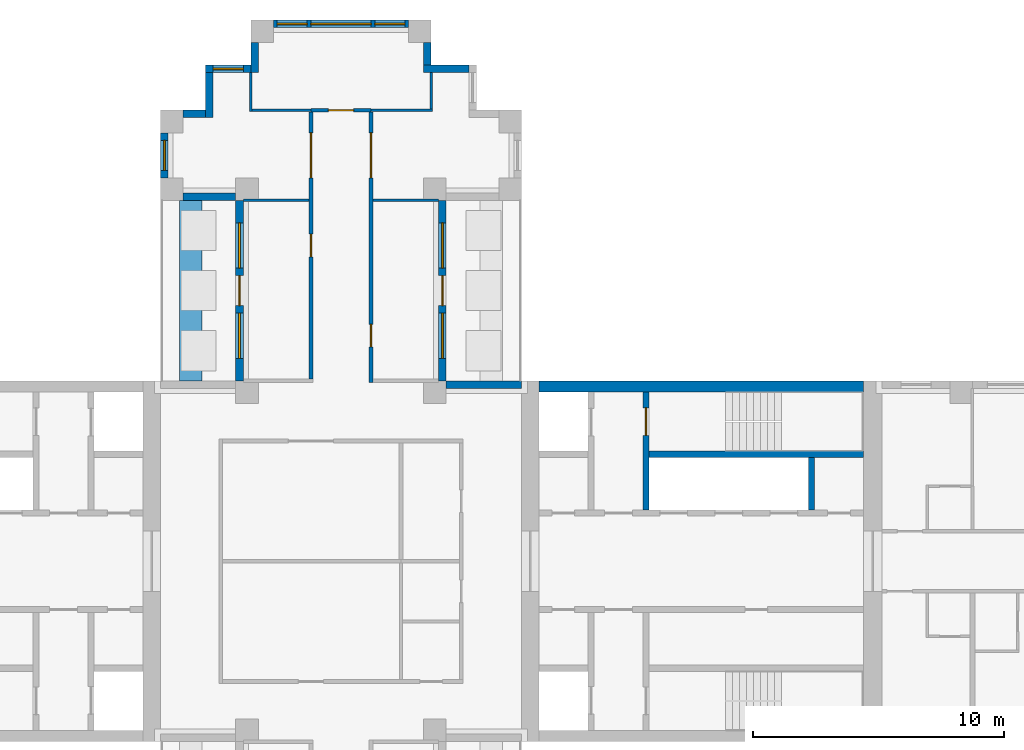
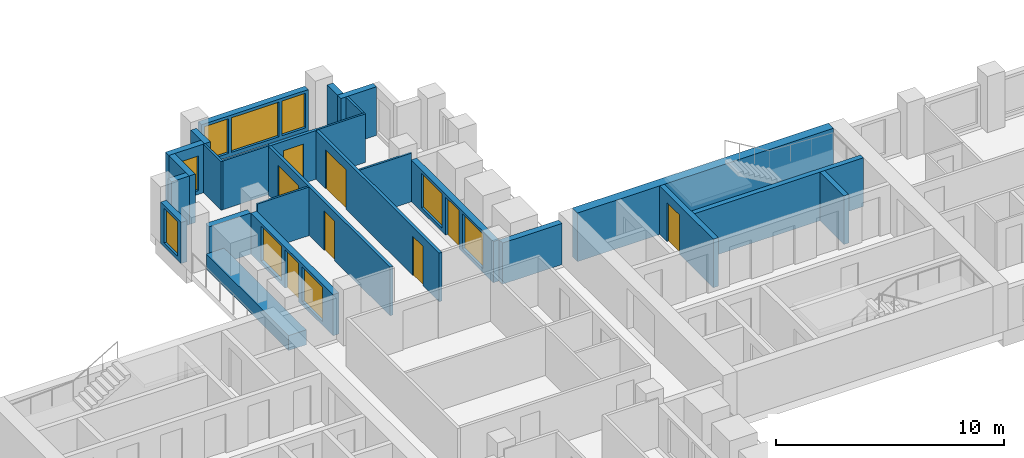
# One storey, part 7 of 12: 26 walls, 9 windows, 8 doors, 17 openings.
"""IFC4 building model written with IfcOpenShell, lengths in metres."""

from ifc_helpers import new_model, si_unit, direction, frame, frame_2d, origin, place, context, subcontext, project, spatial, rectangle, extrude, material, layer, layer_set, type_object, element, fill, save


model = new_model("IFC4")

# Units and contexts
model_context = context("Model", 3, precision=1e-05, world=origin(), true_north=direction((0.0, 1.0)))
body_context = subcontext(model_context, "Body", "Model", "MODEL_VIEW")
ifc_project = project(units=[si_unit("LENGTHUNIT", "METRE"), si_unit("AREAUNIT", "SQUARE_METRE"), si_unit("VOLUMEUNIT", "CUBIC_METRE"), si_unit("PLANEANGLEUNIT", "RADIAN"), si_unit("MASSUNIT", "GRAM", prefix="KILO")], contexts=[model_context])

# Site, building, storey
site_placement = place(None, origin())
site = spatial("IfcSite", under=ifc_project, at=site_placement, CompositionType="ELEMENT")
building_placement = place(site_placement, origin())
building = spatial("IfcBuilding", under=site, at=building_placement, Name="Fustian Cross Tower", CompositionType="ELEMENT")
storey_placement = place(building_placement, frame((0.0, 0.0, 135.300048828125)))
storey = spatial("IfcBuildingStorey", under=building, at=storey_placement, Name="L42", CompositionType="ELEMENT", Elevation=135.300048828125)

# Wall, openings, doors
ifc_material_1 = material(Name="Plasterboard on steel stud", Category="steel")
ifc_layer_1 = layer(ifc_material_1, 0.14990234375)
ifc_layer_set_1 = layer_set([ifc_layer_1], Name="Plasterboard on steel stud")
wall_type_1 = type_object("IfcWallType", Name="COMPARTMENT WALL 150 EI 60", PredefinedType="PARTITIONING", material=ifc_layer_set_1)
wall_1_placement = place(storey_placement, frame((-1.199951171875, 7.27490234375, 0.0), z_axis=(0.0, 0.0, 1.0), x_axis=(0.0, 1.0, 0.0)))
wall_1 = element("IfcWall", 1, at=wall_1_placement, inside=storey, type_object=wall_type_1, Name="Partition 31", PredefinedType="PARTITIONING", context=body_context, shape_type="SweptSolid", body=[
    extrude(rectangle(XDim=10.650146484375, YDim=0.14990234375, at=frame_2d((5.3251953125, 0.0))), origin(), (0.0, 0.0, 1.0), 2.599853515625),
])
opening_1_placement = place(wall_1_placement, frame((4.875, 0.0, 0.0)))
opening_1 = element("IfcOpeningElement", 2, at=opening_1_placement, cuts=wall_1, Name="Opening D19016", PredefinedType="OPENING", context=body_context, shape_type="SweptSolid", body=[
    extrude(rectangle(XDim=0.89990234375, YDim=2.10009765625, at=frame_2d((0.449951171875, 1.050048828125))), frame((0.0, 0.0849609375, 0.0), z_axis=(0.0, -1.0, 0.0), x_axis=(1.0, 0.0, 0.0)), (0.0, 0.0, 1.0), 0.169921875),
])
opening_2_placement = place(wall_1_placement, frame((8.02490234375, 0.0, 0.0)))
opening_2 = element("IfcOpeningElement", 3, at=opening_2_placement, cuts=wall_1, Name="Opening D19017", PredefinedType="OPENING", context=body_context, shape_type="SweptSolid", body=[
    extrude(rectangle(XDim=1.800048828125, YDim=2.10009765625, at=frame_2d((0.89990234375, 1.050048828125))), frame((0.0, 0.0849609375, 0.0), z_axis=(0.0, -1.0, 0.0), x_axis=(1.0, 0.0, 0.0)), (0.0, 0.0, 1.0), 0.169921875),
])
ifc_material_2 = material(Name="Timber fire door set", Category="wood")
door_type_1 = type_object("IfcDoorType", Name="FIRE DOUBLE DOOR 1800 FD30S", OperationType="DOUBLE_DOOR_DOUBLE_SWING", PredefinedType="DOOR", material=ifc_material_2)
door_1_placement = place(opening_2_placement, frame((1.800048828125, 0.0, 0.0), z_axis=(0.0, 0.0, 1.0), x_axis=(-1.0, 0.0, 0.0)))
door_1 = element("IfcDoor", 4, at=door_1_placement, inside=storey, type_object=door_type_1, Name="Door D19017", OperationType="DOUBLE_DOOR_DOUBLE_SWING", OverallHeight=2.10009765625, OverallWidth=1.800048828125, PredefinedType="DOOR", context=body_context, shape_type="SweptSolid", body=[
    extrude(rectangle(XDim=1.800048828125, YDim=2.10009765625, at=frame_2d((0.89990234375, 1.050048828125))), frame((0.0, 0.02490234375, 0.0), z_axis=(0.0, -1.0, 0.0), x_axis=(1.0, 0.0, 0.0)), (0.0, 0.0, 1.0), 0.050048828125),
])
fill(opening_2, door_1)
ifc_material_3 = material(Name="Timber fire door set", Category="wood")
door_type_2 = type_object("IfcDoorType", Name="FIRE SWING DOOR 900 FD30S", OperationType="SINGLE_SWING_LEFT", PredefinedType="DOOR", material=ifc_material_3)
door_2_placement = place(opening_1_placement, origin())
door_2 = element("IfcDoor", 5, at=door_2_placement, inside=storey, type_object=door_type_2, Name="Door D19016", OperationType="SINGLE_SWING_RIGHT", OverallHeight=2.10009765625, OverallWidth=0.89990234375, PredefinedType="DOOR", context=body_context, shape_type="SweptSolid", body=[
    extrude(rectangle(XDim=0.89990234375, YDim=2.10009765625, at=frame_2d((0.449951171875, 1.050048828125))), frame((0.0, 0.02490234375, 0.0), z_axis=(0.0, -1.0, 0.0), x_axis=(1.0, 0.0, 0.0)), (0.0, 0.0, 1.0), 0.050048828125),
])
fill(opening_1, door_2)

# Wall, opening, door
wall_2_placement = place(storey_placement, frame((-1.199951171875, 18.0, 0.0), z_axis=(0.0, 0.0, 1.0), x_axis=(1.0, 0.0, 0.0)))
wall_2 = element("IfcWall", 6, at=wall_2_placement, inside=storey, type_object=wall_type_1, Name="Partition 32", PredefinedType="PARTITIONING", context=body_context, shape_type="SweptSolid", body=[
    extrude(rectangle(XDim=2.39990234375, YDim=0.14990234375, at=frame_2d((1.199951171875, 0.0))), origin(), (0.0, 0.0, 1.0), 2.599853515625),
])
opening_3_placement = place(wall_2_placement, frame((0.699951171875, 0.0, 0.0)))
opening_3 = element("IfcOpeningElement", 7, at=opening_3_placement, cuts=wall_2, Name="Opening D19015", PredefinedType="OPENING", context=body_context, shape_type="SweptSolid", body=[
    extrude(rectangle(XDim=1.0, YDim=2.10009765625, at=frame_2d((0.5, 1.050048828125))), frame((0.0, 0.0849609375, 0.0), z_axis=(0.0, -1.0, 0.0), x_axis=(1.0, 0.0, 0.0)), (0.0, 0.0, 1.0), 0.169921875),
])
ifc_material_4 = material(Name="Timber fire door set", Category="wood")
door_type_3 = type_object("IfcDoorType", Name="FIRE SWING DOOR 1000 FD30S", OperationType="SINGLE_SWING_LEFT", PredefinedType="DOOR", material=ifc_material_4)
door_3_placement = place(opening_3_placement, origin())
door_3 = element("IfcDoor", 8, at=door_3_placement, inside=storey, type_object=door_type_3, Name="Door D19015", OperationType="SINGLE_SWING_LEFT", OverallHeight=2.10009765625, OverallWidth=1.0, PredefinedType="DOOR", context=body_context, shape_type="SweptSolid", body=[
    extrude(rectangle(XDim=1.0, YDim=2.10009765625, at=frame_2d((0.5, 1.050048828125))), frame((0.0, 0.02490234375, 0.0), z_axis=(0.0, -1.0, 0.0), x_axis=(1.0, 0.0, 0.0)), (0.0, 0.0, 1.0), 0.050048828125),
])
fill(opening_3, door_3)

# Wall, openings, doors
wall_3_placement = place(storey_placement, frame((1.199951171875, 7.125, 0.0), z_axis=(0.0, 0.0, 1.0), x_axis=(0.0, 1.0, 0.0)))
wall_3 = element("IfcWall", 9, at=wall_3_placement, inside=storey, type_object=wall_type_1, Name="Partition 38", PredefinedType="PARTITIONING", context=body_context, shape_type="SweptSolid", body=[
    extrude(rectangle(XDim=10.800048828125, YDim=0.14990234375, at=frame_2d((5.39990234375, 0.0))), origin(), (0.0, 0.0, 1.0), 2.599853515625),
])
opening_4_placement = place(wall_3_placement, frame((1.425048828125, 0.0, 0.0)))
opening_4 = element("IfcOpeningElement", 10, at=opening_4_placement, cuts=wall_3, Name="Opening D19018", PredefinedType="OPENING", context=body_context, shape_type="SweptSolid", body=[
    extrude(rectangle(XDim=0.89990234375, YDim=2.10009765625, at=frame_2d((0.449951171875, 1.050048828125))), frame((0.0, 0.0849609375, 0.0), z_axis=(0.0, -1.0, 0.0), x_axis=(1.0, 0.0, 0.0)), (0.0, 0.0, 1.0), 0.169921875),
])
opening_5_placement = place(wall_3_placement, frame((8.175048828125, 0.0, 0.0)))
opening_5 = element("IfcOpeningElement", 11, at=opening_5_placement, cuts=wall_3, Name="Opening D19019", PredefinedType="OPENING", context=body_context, shape_type="SweptSolid", body=[
    extrude(rectangle(XDim=1.800048828125, YDim=2.10009765625, at=frame_2d((0.89990234375, 1.050048828125))), frame((0.0, 0.0849609375, 0.0), z_axis=(0.0, -1.0, 0.0), x_axis=(1.0, 0.0, 0.0)), (0.0, 0.0, 1.0), 0.169921875),
])
door_4_placement = place(opening_5_placement, origin())
door_4 = element("IfcDoor", 12, at=door_4_placement, inside=storey, type_object=door_type_1, Name="Door D19019", OperationType="DOUBLE_DOOR_DOUBLE_SWING", OverallHeight=2.10009765625, OverallWidth=1.800048828125, PredefinedType="DOOR", context=body_context, shape_type="SweptSolid", body=[
    extrude(rectangle(XDim=1.800048828125, YDim=2.10009765625, at=frame_2d((0.89990234375, 1.050048828125))), frame((0.0, 0.02490234375, 0.0), z_axis=(0.0, -1.0, 0.0), x_axis=(1.0, 0.0, 0.0)), (0.0, 0.0, 1.0), 0.050048828125),
])
fill(opening_5, door_4)
door_5_placement = place(opening_4_placement, frame((0.89990234375, 0.0, 0.0), z_axis=(0.0, 0.0, 1.0), x_axis=(-1.0, 0.0, 0.0)))
door_5 = element("IfcDoor", 13, at=door_5_placement, inside=storey, type_object=door_type_2, Name="Door D19018", OperationType="SINGLE_SWING_RIGHT", OverallHeight=2.10009765625, OverallWidth=0.89990234375, PredefinedType="DOOR", context=body_context, shape_type="SweptSolid", body=[
    extrude(rectangle(XDim=0.89990234375, YDim=2.10009765625, at=frame_2d((0.449951171875, 1.050048828125))), frame((0.0, 0.02490234375, 0.0), z_axis=(0.0, -1.0, 0.0), x_axis=(1.0, 0.0, 0.0)), (0.0, 0.0, 1.0), 0.050048828125),
])
fill(opening_4, door_5)

# Walls
ifc_material_5 = material(Name="Concrete C60/75", Category="concrete")
ifc_layer_2 = layer(ifc_material_5, 0.449951171875)
ifc_layer_set_2 = layer_set([ifc_layer_2], Name="Concrete C60/75")
wall_type_2 = type_object("IfcWallType", Name="CORE FACADE WALL 450 C60/75", PredefinedType="SHEAR", material=ifc_layer_set_2)
wall_4_placement = place(storey_placement, frame((7.89990234375, 6.97509765625, 0.0), z_axis=(0.0, 0.0, 1.0), x_axis=(1.0, 0.0, 0.0)))
element("IfcWall", 14, at=wall_4_placement, inside=storey, type_object=wall_type_2, Name="Core facade wall", PredefinedType="SHEAR", context=body_context, shape_type="SweptSolid", body=[
    extrude(rectangle(XDim=12.9501953125, YDim=0.449951171875, at=frame_2d((6.47509765625, 0.0))), origin(), (0.0, 0.0, 1.0), 2.599853515625),
])
ifc_material_6 = material(Name="Concrete C50/60", Category="concrete")
ifc_layer_3 = layer(ifc_material_6, 0.25)
ifc_layer_set_3 = layer_set([ifc_layer_3], Name="Concrete C50/60")
wall_type_3 = type_object("IfcWallType", Name="CORE SHAFT WALL 250 C50/60", PredefinedType="SHEAR", material=ifc_layer_set_3)
wall_5_placement = place(storey_placement, frame((12.300048828125, 4.27490234375, 0.0), z_axis=(0.0, 0.0, 1.0), x_axis=(1.0, 0.0, 0.0)))
element("IfcWall", 15, at=wall_5_placement, inside=storey, type_object=wall_type_3, Name="Core shaft wall", PredefinedType="SHEAR", context=body_context, shape_type="SweptSolid", body=[
    extrude(rectangle(XDim=8.550048828125, YDim=0.25, at=frame_2d((4.27490234375, 0.0))), origin(), (0.0, 0.0, 1.0), 2.599853515625),
])

# Wall, opening, door
wall_6_placement = place(storey_placement, frame((12.175048828125, 2.050048828125, 0.0), z_axis=(0.0, 0.0, 1.0), x_axis=(0.0, 1.0, 0.0)))
wall_6 = element("IfcWall", 16, at=wall_6_placement, inside=storey, type_object=wall_type_3, Name="Core shaft wall", PredefinedType="SHEAR", context=body_context, shape_type="SweptSolid", body=[
    extrude(rectangle(XDim=4.699951171875, YDim=0.25, at=frame_2d((2.35009765625, 0.0))), origin(), (0.0, 0.0, 1.0), 2.599853515625),
])
opening_6_placement = place(wall_6_placement, frame((2.97509765625, 0.0, 0.0)))
opening_6 = element("IfcOpeningElement", 17, at=opening_6_placement, cuts=wall_6, Name="Opening CD-17-06", PredefinedType="OPENING", context=body_context, shape_type="SweptSolid", body=[
    extrude(rectangle(XDim=1.10009765625, YDim=2.10009765625, at=frame_2d((0.550048828125, 1.050048828125))), frame((0.0, 0.135009765625, 0.0), z_axis=(0.0, -1.0, 0.0), x_axis=(1.0, 0.0, 0.0)), (0.0, 0.0, 1.0), 0.27001953125),
])
ifc_material_7 = material(Name="Steel", Category="steel")
door_type_4 = type_object("IfcDoorType", Name="FIRE DOOR FD60S 1100X2100", OperationType="SINGLE_SWING_LEFT", PredefinedType="DOOR", material=ifc_material_7)
door_6_placement = place(opening_6_placement, frame((1.10009765625, 0.0, 0.0), z_axis=(0.0, 0.0, 1.0), x_axis=(-1.0, 0.0, 0.0)))
door_6 = element("IfcDoor", 18, at=door_6_placement, inside=storey, type_object=door_type_4, Name="Core door CD-17-06", OperationType="SINGLE_SWING_RIGHT", OverallHeight=2.10009765625, OverallWidth=1.10009765625, PredefinedType="DOOR", context=body_context, shape_type="SweptSolid", body=[
    extrude(rectangle(XDim=1.10009765625, YDim=2.10009765625, at=frame_2d((0.550048828125, 1.050048828125))), frame((0.0, 0.02490234375, 0.0), z_axis=(0.0, -1.0, 0.0), x_axis=(1.0, 0.0, 0.0)), (0.0, 0.0, 1.0), 0.050048828125),
])
fill(opening_6, door_6)

# Walls
ifc_material_8 = material(Name="Plasterboard on steel stud", Category="steel")
ifc_layer_4 = layer(ifc_material_8, 0.10009765625)
ifc_layer_set_4 = layer_set([ifc_layer_4], Name="Plasterboard on steel stud")
wall_type_4 = type_object("IfcWallType", Name="PARTITION 100 STUD", PredefinedType="PARTITIONING", material=ifc_layer_set_4)
wall_7_placement = place(storey_placement, frame((-3.89990234375, 14.39990234375, 0.0), z_axis=(0.0, 0.0, 1.0), x_axis=(1.0, 0.0, 0.0)))
element("IfcWall", 19, at=wall_7_placement, inside=storey, type_object=wall_type_4, Name="Partition 23", PredefinedType="PARTITIONING", context=body_context, shape_type="SweptSolid", body=[
    extrude(rectangle(XDim=2.625, YDim=0.10009765625, at=frame_2d((1.3125, 0.0))), origin(), (0.0, 0.0, 1.0), 2.599853515625),
])
wall_8_placement = place(storey_placement, frame((-3.60009765625, 17.949951171875, 0.0), z_axis=(0.0, 0.0, 1.0), x_axis=(0.0, 1.0, 0.0)))
element("IfcWall", 20, at=wall_8_placement, inside=storey, type_object=wall_type_4, Name="Partition 27", PredefinedType="PARTITIONING", context=body_context, shape_type="SweptSolid", body=[
    extrude(rectangle(XDim=1.550048828125, YDim=0.10009765625, at=frame_2d((0.77490234375, 0.0))), origin(), (0.0, 0.0, 1.0), 2.599853515625),
])
wall_9_placement = place(storey_placement, frame((-3.550048828125, 18.0, 0.0), z_axis=(0.0, 0.0, 1.0), x_axis=(1.0, 0.0, 0.0)))
element("IfcWall", 21, at=wall_9_placement, inside=storey, type_object=wall_type_4, Name="Partition 28", PredefinedType="PARTITIONING", context=body_context, shape_type="SweptSolid", body=[
    extrude(rectangle(XDim=2.35009765625, YDim=0.10009765625, at=frame_2d((1.175048828125, 0.0))), origin(), (0.0, 0.0, 1.0), 2.599853515625),
])
wall_10_placement = place(storey_placement, frame((1.27490234375, 14.39990234375, 0.0), z_axis=(0.0, 0.0, 1.0), x_axis=(1.0, 0.0, 0.0)))
element("IfcWall", 22, at=wall_10_placement, inside=storey, type_object=wall_type_4, Name="Partition 40", PredefinedType="PARTITIONING", context=body_context, shape_type="SweptSolid", body=[
    extrude(rectangle(XDim=2.625, YDim=0.10009765625, at=frame_2d((1.3125, 0.0))), origin(), (0.0, 0.0, 1.0), 2.599853515625),
])
wall_11_placement = place(storey_placement, frame((1.199951171875, 18.0, 0.0), z_axis=(0.0, 0.0, 1.0), x_axis=(1.0, 0.0, 0.0)))
element("IfcWall", 23, at=wall_11_placement, inside=storey, type_object=wall_type_4, Name="Partition 41", PredefinedType="PARTITIONING", context=body_context, shape_type="SweptSolid", body=[
    extrude(rectangle(XDim=2.449951171875, YDim=0.10009765625, at=frame_2d((1.22509765625, 0.0))), origin(), (0.0, 0.0, 1.0), 2.599853515625),
])
wall_12_placement = place(storey_placement, frame((3.60009765625, 18.050048828125, 0.0), z_axis=(0.0, 0.0, 1.0), x_axis=(0.0, 1.0, 0.0)))
element("IfcWall", 24, at=wall_12_placement, inside=storey, type_object=wall_type_4, Name="Partition 47", PredefinedType="PARTITIONING", context=body_context, shape_type="SweptSolid", body=[
    extrude(rectangle(XDim=1.449951171875, YDim=0.10009765625, at=frame_2d((0.72509765625, 0.0))), origin(), (0.0, 0.0, 1.0), 2.599853515625),
])
ifc_material_9 = material(Name="Concrete C40/50", Category="concrete")
ifc_layer_5 = layer(ifc_material_9, 0.89990234375)
ifc_layer_set_5 = layer_set([ifc_layer_5], Name="Concrete C40/50")
wall_type_5 = type_object("IfcWallType", Name="PK1 PLANTER 900", PredefinedType="PARAPET", material=ifc_layer_set_5)
wall_13_placement = place(storey_placement, frame((-6.0, 7.199951171875, 0.0), z_axis=(0.0, 0.0, 1.0), x_axis=(0.0, 1.0, 0.0)))
element("IfcWall", 25, at=wall_13_placement, inside=storey, type_object=wall_type_5, Name="PLANTER", PredefinedType="PARAPET", context=body_context, shape_type="SweptSolid", body=[
    extrude(rectangle(XDim=7.199951171875, YDim=0.89990234375, at=frame_2d((3.60009765625, 0.0))), origin(), (0.0, 0.0, 1.0), 0.800048828125),
])
ifc_material_10 = material(Name="Concrete C40/50", Category="concrete")
ifc_layer_6 = layer(ifc_material_10, 0.25)
ifc_layer_set_6 = layer_set([ifc_layer_6], Name="Concrete C40/50")
wall_type_6 = type_object("IfcWallType", Name="SHAFT PARTITION WALL 250 C40/50", PredefinedType="PARTITIONING", material=ifc_layer_set_6)
wall_14_placement = place(storey_placement, frame((18.77490234375, 2.050048828125, 0.0), z_axis=(0.0, 0.0, 1.0), x_axis=(0.0, 1.0, 0.0)))
element("IfcWall", 26, at=wall_14_placement, inside=storey, type_object=wall_type_6, Name="Core shaft wall", PredefinedType="PARTITIONING", context=body_context, shape_type="SweptSolid", body=[
    extrude(rectangle(XDim=2.099853515625, YDim=0.25, at=frame_2d((1.0498046875, 0.0))), origin(), (0.0, 0.0, 1.0), 2.599853515625),
])
ifc_material_11 = material(Name="Dark aluminium cladding on insulated backing wall", Category="aluminium")
ifc_layer_7 = layer(ifc_material_11, 0.300048828125)
ifc_layer_set_7 = layer_set([ifc_layer_7], Name="Dark aluminium cladding on insulated backing wall")
wall_type_7 = type_object("IfcWallType", Name="XW1 EXTERNAL WALL 300", PredefinedType="SOLIDWALL", material=ifc_layer_set_7)
wall_15_placement = place(storey_placement, frame((7.199951171875, 7.050048828125, 0.0), z_axis=(0.0, 0.0, 1.0), x_axis=(-1.0, 0.0, 0.0)))
element("IfcWall", 27, at=wall_15_placement, inside=storey, type_object=wall_type_7, Name="External wall", PredefinedType="SOLIDWALL", context=body_context, shape_type="SweptSolid", body=[
    extrude(rectangle(XDim=3.0, YDim=0.300048828125, at=frame_2d((1.5, 0.0))), origin(), (0.0, 0.0, 1.0), 2.199951171875),
])

# Wall, openings, door, windows
wall_16_placement = place(storey_placement, frame((4.050048828125, 7.199951171875, 0.0), z_axis=(0.0, 0.0, 1.0), x_axis=(0.0, 1.0, 0.0)))
wall_16 = element("IfcWall", 28, at=wall_16_placement, inside=storey, type_object=wall_type_7, Name="External wall", PredefinedType="SOLIDWALL", context=body_context, shape_type="SweptSolid", body=[
    extrude(rectangle(XDim=7.199951171875, YDim=0.300048828125, at=frame_2d((3.60009765625, 0.0))), origin(), (0.0, 0.0, 1.0), 2.199951171875),
])
opening_7_placement = place(wall_16_placement, frame((3.0, 0.0, 0.0)))
opening_7 = element("IfcOpeningElement", 29, at=opening_7_placement, cuts=wall_16, Name="Opening XD1", PredefinedType="OPENING", context=body_context, shape_type="SweptSolid", body=[
    extrude(rectangle(XDim=1.199951171875, YDim=2.050048828125, at=frame_2d((0.60009765625, 1.02490234375))), frame((0.0, 0.159912109375, 0.0), z_axis=(0.0, -1.0, 0.0), x_axis=(1.0, 0.0, 0.0)), (0.0, 0.0, 1.0), 0.320068359375),
])
opening_8_placement = place(wall_16_placement, frame((0.89990234375, 0.0, 0.199951171875)))
opening_8 = element("IfcOpeningElement", 30, at=opening_8_placement, cuts=wall_16, Name="Opening WN2", PredefinedType="OPENING", context=body_context, shape_type="SweptSolid", body=[
    extrude(rectangle(XDim=1.800048828125, YDim=1.85009765625, at=frame_2d((0.89990234375, 0.925048828125))), frame((0.0, 0.159912109375, 0.0), z_axis=(0.0, -1.0, 0.0), x_axis=(1.0, 0.0, 0.0)), (0.0, 0.0, 1.0), 0.320068359375),
])
opening_9_placement = place(wall_16_placement, frame((4.5, 0.0, 0.199951171875)))
opening_9 = element("IfcOpeningElement", 31, at=opening_9_placement, cuts=wall_16, Name="Opening WN2", PredefinedType="OPENING", context=body_context, shape_type="SweptSolid", body=[
    extrude(rectangle(XDim=1.800048828125, YDim=1.85009765625, at=frame_2d((0.89990234375, 0.925048828125))), frame((0.0, 0.159912109375, 0.0), z_axis=(0.0, -1.0, 0.0), x_axis=(1.0, 0.0, 0.0)), (0.0, 0.0, 1.0), 0.320068359375),
])
ifc_material_12 = material(Name="Dark anodised aluminium and double glazing", Category="aluminium")
door_type_5 = type_object("IfcDoorType", Name="ED1 BALCONY DOOR 1200X2050", OperationType="SINGLE_SWING_LEFT", PredefinedType="DOOR", material=ifc_material_12)
door_7_placement = place(opening_7_placement, origin())
door_7 = element("IfcDoor", 32, at=door_7_placement, inside=storey, type_object=door_type_5, Name="Balcony door", OperationType="SINGLE_SWING_LEFT", OverallHeight=2.050048828125, OverallWidth=1.199951171875, PredefinedType="DOOR", context=body_context, shape_type="SweptSolid", body=[
    extrude(rectangle(XDim=1.199951171875, YDim=2.050048828125, at=frame_2d((0.60009765625, 1.02490234375))), frame((0.0, 0.02490234375, 0.0), z_axis=(0.0, -1.0, 0.0), x_axis=(1.0, 0.0, 0.0)), (0.0, 0.0, 1.0), 0.050048828125),
])
fill(opening_7, door_7)
ifc_material_13 = material(Name="Dark anodised aluminium and double glazing", Category="aluminium")
window_type_1 = type_object("IfcWindowType", Name="WN2 WINDOW 1800X1850", PartitioningType="SINGLE_PANEL", PredefinedType="WINDOW", material=ifc_material_13)
window_1_placement = place(opening_8_placement, origin())
window_1 = element("IfcWindow", 33, at=window_1_placement, inside=storey, type_object=window_type_1, Name="Window", OverallHeight=1.85009765625, OverallWidth=1.800048828125, PartitioningType="SINGLE_PANEL", PredefinedType="WINDOW", context=body_context, shape_type="SweptSolid", body=[
    extrude(rectangle(XDim=1.800048828125, YDim=1.85009765625, at=frame_2d((0.89990234375, 0.925048828125))), frame((0.0, 0.030029296875, 0.0), z_axis=(0.0, -1.0, 0.0), x_axis=(1.0, 0.0, 0.0)), (0.0, 0.0, 1.0), 0.06005859375),
])
fill(opening_8, window_1)
window_2_placement = place(opening_9_placement, origin())
window_2 = element("IfcWindow", 34, at=window_2_placement, inside=storey, type_object=window_type_1, Name="Window", OverallHeight=1.85009765625, OverallWidth=1.800048828125, PartitioningType="SINGLE_PANEL", PredefinedType="WINDOW", context=body_context, shape_type="SweptSolid", body=[
    extrude(rectangle(XDim=1.800048828125, YDim=1.85009765625, at=frame_2d((0.89990234375, 0.925048828125))), frame((0.0, 0.030029296875, 0.0), z_axis=(0.0, -1.0, 0.0), x_axis=(1.0, 0.0, 0.0)), (0.0, 0.0, 1.0), 0.06005859375),
])
fill(opening_9, window_2)

# Walls
wall_17_placement = place(storey_placement, frame((5.10009765625, 19.64990234375, 0.0), z_axis=(0.0, 0.0, 1.0), x_axis=(-1.0, 0.0, 0.0)))
element("IfcWall", 35, at=wall_17_placement, inside=storey, type_object=wall_type_7, Name="External wall", PredefinedType="SOLIDWALL", context=body_context, shape_type="SweptSolid", body=[
    extrude(rectangle(XDim=1.800048828125, YDim=0.300048828125, at=frame_2d((0.89990234375, 0.0))), origin(), (0.0, 0.0, 1.0), 2.599853515625),
])
wall_18_placement = place(storey_placement, frame((3.449951171875, 19.800048828125, 0.0), z_axis=(0.0, 0.0, 1.0), x_axis=(0.0, 1.0, 0.0)))
element("IfcWall", 36, at=wall_18_placement, inside=storey, type_object=wall_type_7, Name="External wall", PredefinedType="SOLIDWALL", context=body_context, shape_type="SweptSolid", body=[
    extrude(rectangle(XDim=0.89990234375, YDim=0.300048828125, at=frame_2d((0.449951171875, 0.0))), origin(), (0.0, 0.0, 1.0), 2.599853515625),
])

# Wall, openings, windows
wall_19_placement = place(storey_placement, frame((2.699951171875, 21.449951171875, 0.0), z_axis=(0.0, 0.0, 1.0), x_axis=(-1.0, 0.0, 0.0)))
wall_19 = element("IfcWall", 37, at=wall_19_placement, inside=storey, type_object=wall_type_7, Name="External wall", PredefinedType="SOLIDWALL", context=body_context, shape_type="SweptSolid", body=[
    extrude(rectangle(XDim=5.39990234375, YDim=0.300048828125, at=frame_2d((2.699951171875, 0.0))), origin(), (0.0, 0.0, 1.0), 2.199951171875),
])
opening_10_placement = place(wall_19_placement, frame((1.5, 0.0, 0.199951171875)))
opening_10 = element("IfcOpeningElement", 38, at=opening_10_placement, cuts=wall_19, Name="Opening WN1", PredefinedType="OPENING", context=body_context, shape_type="SweptSolid", body=[
    extrude(rectangle(XDim=2.39990234375, YDim=1.85009765625, at=frame_2d((1.199951171875, 0.925048828125))), frame((0.0, 0.159912109375, 0.0), z_axis=(0.0, -1.0, 0.0), x_axis=(1.0, 0.0, 0.0)), (0.0, 0.0, 1.0), 0.320068359375),
])
opening_11_placement = place(wall_19_placement, frame((0.14990234375, 0.0, 0.199951171875)))
opening_11 = element("IfcOpeningElement", 39, at=opening_11_placement, cuts=wall_19, Name="Opening WN3", PredefinedType="OPENING", context=body_context, shape_type="SweptSolid", body=[
    extrude(rectangle(XDim=1.199951171875, YDim=1.85009765625, at=frame_2d((0.60009765625, 0.925048828125))), frame((0.0, 0.159912109375, 0.0), z_axis=(0.0, -1.0, 0.0), x_axis=(1.0, 0.0, 0.0)), (0.0, 0.0, 1.0), 0.320068359375),
])
opening_12_placement = place(wall_19_placement, frame((4.050048828125, 0.0, 0.199951171875)))
opening_12 = element("IfcOpeningElement", 40, at=opening_12_placement, cuts=wall_19, Name="Opening WN3", PredefinedType="OPENING", context=body_context, shape_type="SweptSolid", body=[
    extrude(rectangle(XDim=1.199951171875, YDim=1.85009765625, at=frame_2d((0.60009765625, 0.925048828125))), frame((0.0, 0.159912109375, 0.0), z_axis=(0.0, -1.0, 0.0), x_axis=(1.0, 0.0, 0.0)), (0.0, 0.0, 1.0), 0.320068359375),
])
ifc_material_14 = material(Name="Dark anodised aluminium and double glazing", Category="aluminium")
window_type_2 = type_object("IfcWindowType", Name="WN1 WINDOW 2400X1850", PartitioningType="SINGLE_PANEL", PredefinedType="WINDOW", material=ifc_material_14)
window_3_placement = place(opening_10_placement, origin())
window_3 = element("IfcWindow", 41, at=window_3_placement, inside=storey, type_object=window_type_2, Name="Window", OverallHeight=1.85009765625, OverallWidth=2.39990234375, PartitioningType="SINGLE_PANEL", PredefinedType="WINDOW", context=body_context, shape_type="SweptSolid", body=[
    extrude(rectangle(XDim=2.39990234375, YDim=1.85009765625, at=frame_2d((1.199951171875, 0.925048828125))), frame((0.0, 0.030029296875, 0.0), z_axis=(0.0, -1.0, 0.0), x_axis=(1.0, 0.0, 0.0)), (0.0, 0.0, 1.0), 0.06005859375),
])
fill(opening_10, window_3)
ifc_material_15 = material(Name="Dark anodised aluminium and double glazing", Category="aluminium")
window_type_3 = type_object("IfcWindowType", Name="WN3 WINDOW 1200X1850", PartitioningType="SINGLE_PANEL", PredefinedType="WINDOW", material=ifc_material_15)
window_4_placement = place(opening_11_placement, origin())
window_4 = element("IfcWindow", 42, at=window_4_placement, inside=storey, type_object=window_type_3, Name="Window", OverallHeight=1.85009765625, OverallWidth=1.199951171875, PartitioningType="SINGLE_PANEL", PredefinedType="WINDOW", context=body_context, shape_type="SweptSolid", body=[
    extrude(rectangle(XDim=1.199951171875, YDim=1.85009765625, at=frame_2d((0.60009765625, 0.925048828125))), frame((0.0, 0.030029296875, 0.0), z_axis=(0.0, -1.0, 0.0), x_axis=(1.0, 0.0, 0.0)), (0.0, 0.0, 1.0), 0.06005859375),
])
fill(opening_11, window_4)
window_5_placement = place(opening_12_placement, origin())
window_5 = element("IfcWindow", 43, at=window_5_placement, inside=storey, type_object=window_type_3, Name="Window", OverallHeight=1.85009765625, OverallWidth=1.199951171875, PartitioningType="SINGLE_PANEL", PredefinedType="WINDOW", context=body_context, shape_type="SweptSolid", body=[
    extrude(rectangle(XDim=1.199951171875, YDim=1.85009765625, at=frame_2d((0.60009765625, 0.925048828125))), frame((0.0, 0.030029296875, 0.0), z_axis=(0.0, -1.0, 0.0), x_axis=(1.0, 0.0, 0.0)), (0.0, 0.0, 1.0), 0.06005859375),
])
fill(opening_12, window_5)

# Wall
wall_20_placement = place(storey_placement, frame((-3.449951171875, 20.699951171875, 0.0), z_axis=(0.0, 0.0, 1.0), x_axis=(0.0, -1.0, 0.0)))
element("IfcWall", 44, at=wall_20_placement, inside=storey, type_object=wall_type_7, Name="External wall", PredefinedType="SOLIDWALL", context=body_context, shape_type="SweptSolid", body=[
    extrude(rectangle(XDim=1.199951171875, YDim=0.300048828125, at=frame_2d((0.60009765625, 0.0))), origin(), (0.0, 0.0, 1.0), 2.599853515625),
])

# Wall, opening, window
wall_21_placement = place(storey_placement, frame((-3.60009765625, 19.64990234375, 0.0), z_axis=(0.0, 0.0, 1.0), x_axis=(-1.0, 0.0, 0.0)))
wall_21 = element("IfcWall", 45, at=wall_21_placement, inside=storey, type_object=wall_type_7, Name="External wall", PredefinedType="SOLIDWALL", context=body_context, shape_type="SweptSolid", body=[
    extrude(rectangle(XDim=1.7998046875, YDim=0.300048828125, at=frame_2d((0.89990234375, 0.0))), origin(), (0.0, 0.0, 1.0), 2.599853515625),
])
opening_13_placement = place(wall_21_placement, frame((0.300048828125, 0.0, 0.199951171875)))
opening_13 = element("IfcOpeningElement", 46, at=opening_13_placement, cuts=wall_21, Name="Opening WN3", PredefinedType="OPENING", context=body_context, shape_type="SweptSolid", body=[
    extrude(rectangle(XDim=1.199951171875, YDim=1.85009765625, at=frame_2d((0.60009765625, 0.925048828125))), frame((0.0, 0.159912109375, 0.0), z_axis=(0.0, -1.0, 0.0), x_axis=(1.0, 0.0, 0.0)), (0.0, 0.0, 1.0), 0.320068359375),
])
window_6_placement = place(opening_13_placement, origin())
window_6 = element("IfcWindow", 47, at=window_6_placement, inside=storey, type_object=window_type_3, Name="Window", OverallHeight=1.85009765625, OverallWidth=1.199951171875, PartitioningType="SINGLE_PANEL", PredefinedType="WINDOW", context=body_context, shape_type="SweptSolid", body=[
    extrude(rectangle(XDim=1.199951171875, YDim=1.85009765625, at=frame_2d((0.60009765625, 0.925048828125))), frame((0.0, 0.030029296875, 0.0), z_axis=(0.0, -1.0, 0.0), x_axis=(1.0, 0.0, 0.0)), (0.0, 0.0, 1.0), 0.06005859375),
])
fill(opening_13, window_6)

# Walls
wall_22_placement = place(storey_placement, frame((-5.25, 19.5, 0.0), z_axis=(0.0, 0.0, 1.0), x_axis=(0.0, -1.0, 0.0)))
element("IfcWall", 48, at=wall_22_placement, inside=storey, type_object=wall_type_7, Name="External wall", PredefinedType="SOLIDWALL", context=body_context, shape_type="SweptSolid", body=[
    extrude(rectangle(XDim=1.800048828125, YDim=0.300048828125, at=frame_2d((0.89990234375, 0.0))), origin(), (0.0, 0.0, 1.0), 2.599853515625),
])
wall_23_placement = place(storey_placement, frame((-5.39990234375, 17.85009765625, 0.0), z_axis=(0.0, 0.0, 1.0), x_axis=(-1.0, 0.0, 0.0)))
element("IfcWall", 49, at=wall_23_placement, inside=storey, type_object=wall_type_7, Name="External wall", PredefinedType="SOLIDWALL", context=body_context, shape_type="SweptSolid", body=[
    extrude(rectangle(XDim=0.900146484375, YDim=0.300048828125, at=frame_2d((0.4501953125, 0.0))), origin(), (0.0, 0.0, 1.0), 2.599853515625),
])

# Wall, opening, window
wall_24_placement = place(storey_placement, frame((-7.050048828125, 17.10009765625, 0.0), z_axis=(0.0, 0.0, 1.0), x_axis=(0.0, -1.0, 0.0)))
wall_24 = element("IfcWall", 50, at=wall_24_placement, inside=storey, type_object=wall_type_7, Name="External wall", PredefinedType="SOLIDWALL", context=body_context, shape_type="SweptSolid", body=[
    extrude(rectangle(XDim=1.800048828125, YDim=0.300048828125, at=frame_2d((0.89990234375, 0.0))), origin(), (0.0, 0.0, 1.0), 2.199951171875),
])
opening_14_placement = place(wall_24_placement, frame((0.300048828125, 0.0, 0.199951171875)))
opening_14 = element("IfcOpeningElement", 51, at=opening_14_placement, cuts=wall_24, Name="Opening WN3", PredefinedType="OPENING", context=body_context, shape_type="SweptSolid", body=[
    extrude(rectangle(XDim=1.199951171875, YDim=1.85009765625, at=frame_2d((0.60009765625, 0.925048828125))), frame((0.0, 0.159912109375, 0.0), z_axis=(0.0, -1.0, 0.0), x_axis=(1.0, 0.0, 0.0)), (0.0, 0.0, 1.0), 0.320068359375),
])
window_7_placement = place(opening_14_placement, origin())
window_7 = element("IfcWindow", 52, at=window_7_placement, inside=storey, type_object=window_type_3, Name="Window", OverallHeight=1.85009765625, OverallWidth=1.199951171875, PartitioningType="SINGLE_PANEL", PredefinedType="WINDOW", context=body_context, shape_type="SweptSolid", body=[
    extrude(rectangle(XDim=1.199951171875, YDim=1.85009765625, at=frame_2d((0.60009765625, 0.925048828125))), frame((0.0, 0.030029296875, 0.0), z_axis=(0.0, -1.0, 0.0), x_axis=(1.0, 0.0, 0.0)), (0.0, 0.0, 1.0), 0.06005859375),
])
fill(opening_14, window_7)

# Wall
wall_25_placement = place(storey_placement, frame((-6.300048828125, 14.550048828125, 0.0), z_axis=(0.0, 0.0, 1.0), x_axis=(1.0, 0.0, 0.0)))
element("IfcWall", 53, at=wall_25_placement, inside=storey, type_object=wall_type_7, Name="External wall", PredefinedType="SOLIDWALL", context=body_context, shape_type="SweptSolid", body=[
    extrude(rectangle(XDim=2.10009765625, YDim=0.300048828125, at=frame_2d((1.050048828125, 0.0))), origin(), (0.0, 0.0, 1.0), 2.199951171875),
])

# Wall, openings, door, windows
wall_26_placement = place(storey_placement, frame((-4.050048828125, 14.39990234375, 0.0), z_axis=(0.0, 0.0, 1.0), x_axis=(0.0, -1.0, 0.0)))
wall_26 = element("IfcWall", 54, at=wall_26_placement, inside=storey, type_object=wall_type_7, Name="External wall", PredefinedType="SOLIDWALL", context=body_context, shape_type="SweptSolid", body=[
    extrude(rectangle(XDim=7.199951171875, YDim=0.300048828125, at=frame_2d((3.60009765625, 0.0))), origin(), (0.0, 0.0, 1.0), 2.199951171875),
])
opening_15_placement = place(wall_26_placement, frame((3.0, 0.0, 0.0)))
opening_15 = element("IfcOpeningElement", 55, at=opening_15_placement, cuts=wall_26, Name="Opening XD2", PredefinedType="OPENING", context=body_context, shape_type="SweptSolid", body=[
    extrude(rectangle(XDim=1.199951171875, YDim=2.050048828125, at=frame_2d((0.60009765625, 1.02490234375))), frame((0.0, 0.159912109375, 0.0), z_axis=(0.0, -1.0, 0.0), x_axis=(1.0, 0.0, 0.0)), (0.0, 0.0, 1.0), 0.320068359375),
])
opening_16_placement = place(wall_26_placement, frame((0.89990234375, 0.0, 0.199951171875)))
opening_16 = element("IfcOpeningElement", 56, at=opening_16_placement, cuts=wall_26, Name="Opening WN2", PredefinedType="OPENING", context=body_context, shape_type="SweptSolid", body=[
    extrude(rectangle(XDim=1.800048828125, YDim=1.85009765625, at=frame_2d((0.89990234375, 0.925048828125))), frame((0.0, 0.159912109375, 0.0), z_axis=(0.0, -1.0, 0.0), x_axis=(1.0, 0.0, 0.0)), (0.0, 0.0, 1.0), 0.320068359375),
])
opening_17_placement = place(wall_26_placement, frame((4.5, 0.0, 0.199951171875)))
opening_17 = element("IfcOpeningElement", 57, at=opening_17_placement, cuts=wall_26, Name="Opening WN2", PredefinedType="OPENING", context=body_context, shape_type="SweptSolid", body=[
    extrude(rectangle(XDim=1.800048828125, YDim=1.85009765625, at=frame_2d((0.89990234375, 0.925048828125))), frame((0.0, 0.159912109375, 0.0), z_axis=(0.0, -1.0, 0.0), x_axis=(1.0, 0.0, 0.0)), (0.0, 0.0, 1.0), 0.320068359375),
])
door_8_placement = place(opening_15_placement, origin())
door_8 = element("IfcDoor", 58, at=door_8_placement, inside=storey, type_object=door_type_5, Name="Balcony door", OperationType="SINGLE_SWING_LEFT", OverallHeight=2.050048828125, OverallWidth=1.199951171875, PredefinedType="DOOR", context=body_context, shape_type="SweptSolid", body=[
    extrude(rectangle(XDim=1.199951171875, YDim=2.050048828125, at=frame_2d((0.60009765625, 1.02490234375))), frame((0.0, 0.02490234375, 0.0), z_axis=(0.0, -1.0, 0.0), x_axis=(1.0, 0.0, 0.0)), (0.0, 0.0, 1.0), 0.050048828125),
])
fill(opening_15, door_8)
window_8_placement = place(opening_16_placement, origin())
window_8 = element("IfcWindow", 59, at=window_8_placement, inside=storey, type_object=window_type_1, Name="Window", OverallHeight=1.85009765625, OverallWidth=1.800048828125, PartitioningType="SINGLE_PANEL", PredefinedType="WINDOW", context=body_context, shape_type="SweptSolid", body=[
    extrude(rectangle(XDim=1.800048828125, YDim=1.85009765625, at=frame_2d((0.89990234375, 0.925048828125))), frame((0.0, 0.030029296875, 0.0), z_axis=(0.0, -1.0, 0.0), x_axis=(1.0, 0.0, 0.0)), (0.0, 0.0, 1.0), 0.06005859375),
])
fill(opening_16, window_8)
window_9_placement = place(opening_17_placement, origin())
window_9 = element("IfcWindow", 60, at=window_9_placement, inside=storey, type_object=window_type_1, Name="Window", OverallHeight=1.85009765625, OverallWidth=1.800048828125, PartitioningType="SINGLE_PANEL", PredefinedType="WINDOW", context=body_context, shape_type="SweptSolid", body=[
    extrude(rectangle(XDim=1.800048828125, YDim=1.85009765625, at=frame_2d((0.89990234375, 0.925048828125))), frame((0.0, 0.030029296875, 0.0), z_axis=(0.0, -1.0, 0.0), x_axis=(1.0, 0.0, 0.0)), (0.0, 0.0, 1.0), 0.06005859375),
])
fill(opening_17, window_9)

save(model, "model.ifc")
